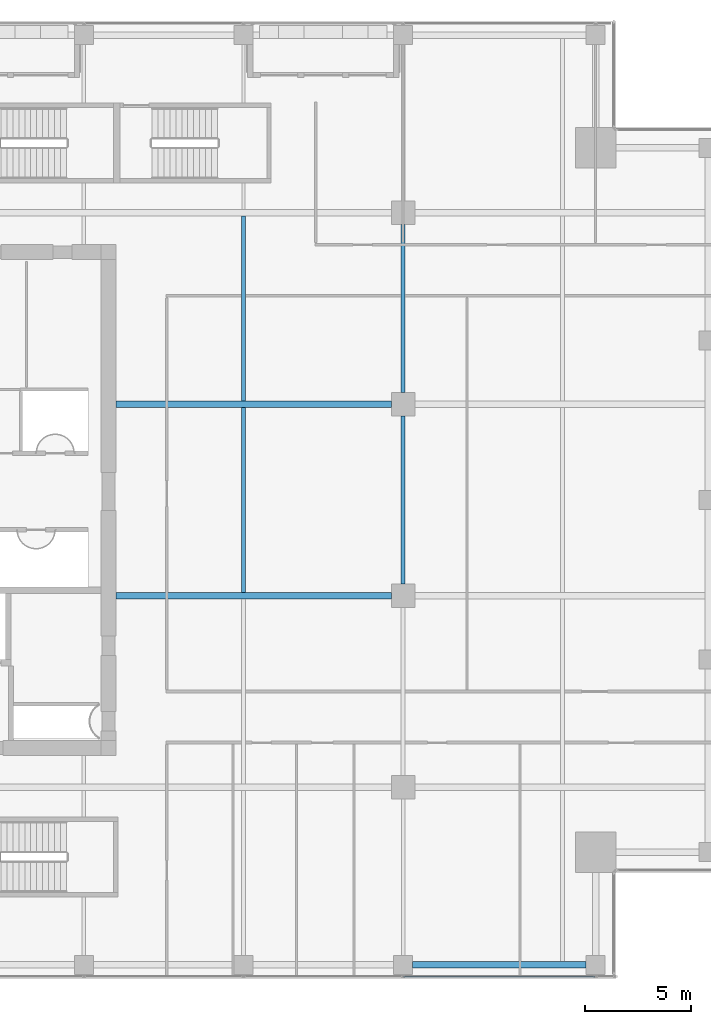
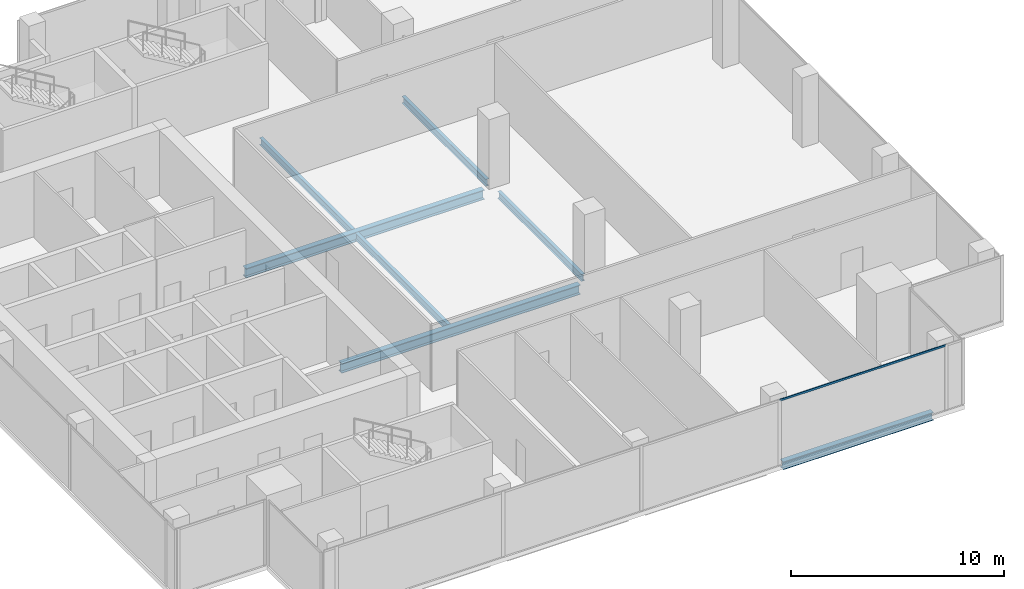
# One storey, part 9 of 35: 7 beams, 1 member, 1 element without a shape of its own.
"""IFC4 building model written with IfcOpenShell, lengths in metres."""

from ifc_helpers import new_model, si_unit, direction, frame, origin, origin_2d, place, context, subcontext, project, spatial, hollow_rectangle, i_section, extrude, source, transform, mapped, material, material_profile, profile_set, type_object, element, aggregate, save


model = new_model("IFC4")

# Units and contexts
model_context = context("Model", 3, precision=1e-05, world=origin(), true_north=direction((0.0, 1.0)))
body_context = subcontext(model_context, "Body", "Model", "MODEL_VIEW")
ifc_project = project(units=[si_unit("LENGTHUNIT", "METRE"), si_unit("AREAUNIT", "SQUARE_METRE"), si_unit("VOLUMEUNIT", "CUBIC_METRE"), si_unit("PLANEANGLEUNIT", "RADIAN"), si_unit("MASSUNIT", "GRAM", prefix="KILO")], contexts=[model_context])

# Site, building, storey
site_placement = place(None, origin())
site = spatial("IfcSite", under=ifc_project, at=site_placement, CompositionType="ELEMENT")
building_placement = place(site_placement, origin())
building = spatial("IfcBuilding", under=site, at=building_placement, Name="Khomas Fold Tower", CompositionType="ELEMENT")
storey_placement = place(building_placement, frame((0.0, 0.0, 270.199951171875)))
storey = spatial("IfcBuildingStorey", under=building, at=storey_placement, Name="L61", CompositionType="ELEMENT", Elevation=270.199951171875)

# Beams
ifc_material_1 = material(Name="Steel S355", Category="steel")
ifc_material_profile_1 = material_profile(ifc_material_1, i_section(OverallWidth=0.179931640625, OverallDepth=0.39990234375, WebThickness=0.008544921875, FlangeThickness=0.013427734375, at=origin_2d()), Name="IPE 400")
ifc_profile_set_1 = profile_set([ifc_material_profile_1], Name="Steel S355")
beam_type_1 = type_object("IfcBeamType", Name="IPE 400 beam JB3", PredefinedType="BEAM", material=ifc_profile_set_1)
shared_shape_1 = source(origin(), body_context, "Body", "SweptSolid", [
    extrude(i_section(OverallWidth=0.179931640625, OverallDepth=0.39990234375, WebThickness=0.008544921875, FlangeThickness=0.013427734375, at=origin_2d()), origin(), (0.0, 0.0, 1.0), 8.7001953125),
])
for number, where, z_axis, x_axis, name in (
    (1, (27.0, 22.64990234375, -0.449951171875), (0.0, 1.0, 0.0), (-1.0, 0.0, 0.0), "JB3"),
    (2, (27.0, 31.64990234375, -0.449951171875), (0.0, 1.0, 0.0), (-1.0, 0.0, 0.0), "JB3"),
):
    element("IfcBeam", number, at=place(storey_placement, frame(where, z_axis=z_axis, x_axis=x_axis)), inside=storey, type_object=beam_type_1, Name=name, PredefinedType="BEAM", context=body_context, shape_type="MappedRepresentation", body=[
        mapped(shared_shape_1, transform((0.0, 0.0, 0.0))),
    ])
ifc_material_2 = material(Name="Steel S355", Category="steel")
ifc_material_profile_2 = material_profile(ifc_material_2, i_section(OverallWidth=0.300048828125, OverallDepth=0.449951171875, WebThickness=0.013916015625, FlangeThickness=0.02587890625, at=origin_2d()), Name="HE 450 B")
ifc_profile_set_2 = profile_set([ifc_material_profile_2], Name="Steel S355")
beam_type_2 = type_object("IfcBeamType", Name="HE 450 B spandrel SB4", PredefinedType="SPANDREL", material=ifc_profile_set_2)
shared_shape_2 = source(origin(), body_context, "Body", "SweptSolid", [
    extrude(i_section(OverallWidth=0.300048828125, OverallDepth=0.449951171875, WebThickness=0.013916015625, FlangeThickness=0.02587890625, at=origin_2d()), origin(), (0.0, 0.0, 1.0), 8.150146484375),
])
beam_placement = place(storey_placement, frame((34.949951171875, 5.14990234375, -0.474853515625), z_axis=(1.0, 0.0, 0.0), x_axis=(0.0, 1.0, 0.0)))
element("IfcBeam", 3, at=beam_placement, inside=storey, type_object=beam_type_2, Name="SB4", PredefinedType="SPANDREL", context=body_context, shape_type="MappedRepresentation", body=[
    mapped(shared_shape_2, transform((0.0, 0.0, 0.0))),
])
ifc_material_3 = material(Name="Steel S355", Category="steel")
ifc_material_profile_3 = material_profile(ifc_material_3, i_section(OverallWidth=0.300048828125, OverallDepth=0.550048828125, WebThickness=0.014892578125, FlangeThickness=0.029052734375, at=origin_2d()), Name="HE 550 B")
ifc_profile_set_3 = profile_set([ifc_material_profile_3], Name="Steel S355")
beam_type_3 = type_object("IfcBeamType", Name="HE 550 B beam GB4", PredefinedType="BEAM", material=ifc_profile_set_3)
shared_shape_3 = source(origin(), body_context, "Body", "SweptSolid", [
    extrude(i_section(OverallWidth=0.300048828125, OverallDepth=0.550048828125, WebThickness=0.014892578125, FlangeThickness=0.029052734375, at=origin_2d()), origin(), (0.0, 0.0, 1.0), 12.949951171875),
])
for number, where, z_axis, x_axis, name in (
    (4, (21.0, 22.5, -0.52490234375), (1.0, 0.0, 0.0), (0.0, 1.0, 0.0), "GB4"),
    (5, (21.0, 31.5, -0.52490234375), (1.0, 0.0, 0.0), (0.0, 1.0, 0.0), "GB4"),
):
    element("IfcBeam", number, at=place(storey_placement, frame(where, z_axis=z_axis, x_axis=x_axis)), inside=storey, type_object=beam_type_3, Name=name, PredefinedType="BEAM", context=body_context, shape_type="MappedRepresentation", body=[
        mapped(shared_shape_3, transform((0.0, 0.0, 0.0))),
    ])
shared_shape_4 = source(origin(), body_context, "Body", "SweptSolid", [
    extrude(i_section(OverallWidth=0.179931640625, OverallDepth=0.39990234375, WebThickness=0.008544921875, FlangeThickness=0.013427734375, at=origin_2d()), origin(), (0.0, 0.0, 1.0), 7.89990234375),
])
for number, where, z_axis, x_axis, name in (
    (6, (34.5, 23.050048828125, -0.449951171875), (0.0, 1.0, 0.0), (-1.0, 0.0, 0.0), "JB3"),
    (7, (34.5, 32.050048828125, -0.449951171875), (0.0, 1.0, 0.0), (-1.0, 0.0, 0.0), "JB3"),
):
    element("IfcBeam", number, at=place(storey_placement, frame(where, z_axis=z_axis, x_axis=x_axis)), inside=storey, type_object=beam_type_1, Name=name, PredefinedType="BEAM", context=body_context, shape_type="MappedRepresentation", body=[
        mapped(shared_shape_4, transform((0.0, 0.0, 0.0))),
    ])

# Curtain wall, member
ifc_material_4 = material(Name="Aluminium framed double glazing", Category="aluminium")
curtain_wall_type = type_object("IfcCurtainWallType", Name="SK-Unitised clear-glass wall, office floors CW2", PredefinedType="NOTDEFINED", material=ifc_material_4)
curtain_wall_placement = place(storey_placement, origin())
curtain_wall = element("IfcCurtainWall", 8, at=curtain_wall_placement, inside=storey, type_object=curtain_wall_type, Name="CW2 run L61 00-0", PredefinedType="NOTDEFINED")
ifc_material_5 = material(Name="Aluminium", Category="aluminium")
ifc_material_profile_4 = material_profile(ifc_material_5, hollow_rectangle(XDim=0.050048828125, YDim=0.110107421875, WallThickness=0.00390625, at=origin_2d()), Name="SK-Unitised clear-glass wall, office floors transom CW2-T")
ifc_profile_set_4 = profile_set([ifc_material_profile_4], Name="Aluminium")
member_type = type_object("IfcMemberType", Name="SK-Unitised clear-glass wall, office floors transom CW2-T", PredefinedType="USERDEFINED", material=ifc_profile_set_4)
shared_shape_5 = source(origin(), body_context, "Body", "SweptSolid", [
    extrude(hollow_rectangle(XDim=0.050048828125, YDim=0.110107421875, WallThickness=0.00390625, at=origin_2d()), origin(), (0.0, 0.0, 1.0), 8.989990234375),
])
member_placement = place(storey_placement, frame((34.530029296875, 4.60009765625, 3.695068359375), z_axis=(1.0, 0.0, 0.0), x_axis=(0.0, 1.0, 0.0)))
member = element("IfcMember", 9, at=member_placement, type_object=member_type, Name="CW2 transom 5", ObjectType="TRANSOM", PredefinedType="USERDEFINED", context=body_context, shape_type="MappedRepresentation", body=[
    mapped(shared_shape_5, transform((0.0, 0.0, 0.0))),
])
aggregate(curtain_wall, [member])

save(model, "model.ifc")
